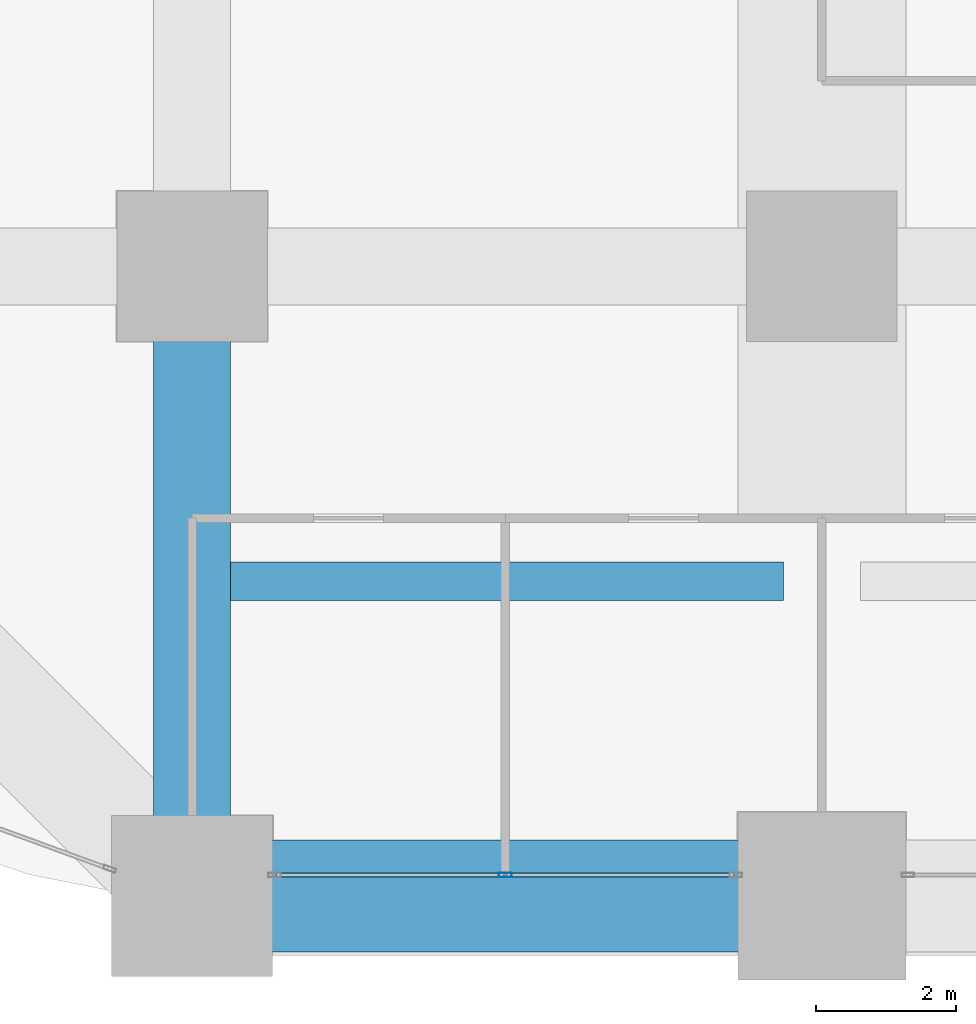
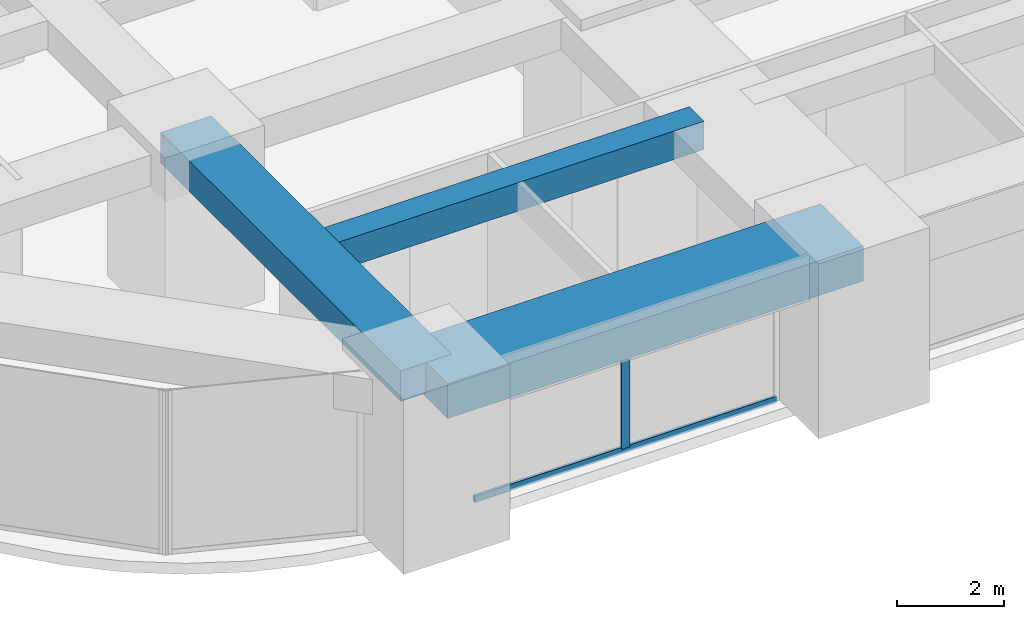
# One storey, part 3 of 45: 3 beams, 2 members, 1 element without a shape of its own.
"""IFC4 building model written with IfcOpenShell, lengths in metres."""

from ifc_helpers import new_model, si_unit, direction, frame, origin, origin_2d, place, context, subcontext, project, spatial, rectangle, hollow_rectangle, extrude, material, material_profile, profile_set, type_object, element, aggregate, save


model = new_model("IFC4")

# Units and contexts
model_context = context("Model", 3, precision=1e-05, world=origin(), true_north=direction((0.0, 1.0)))
body_context = subcontext(model_context, "Body", "Model", "MODEL_VIEW")
ifc_project = project(units=[si_unit("LENGTHUNIT", "METRE"), si_unit("AREAUNIT", "SQUARE_METRE"), si_unit("VOLUMEUNIT", "CUBIC_METRE"), si_unit("PLANEANGLEUNIT", "RADIAN"), si_unit("MASSUNIT", "GRAM", prefix="KILO")], contexts=[model_context])

# Site, building, storey
site_placement = place(None, origin())
site = spatial("IfcSite", under=ifc_project, at=site_placement, CompositionType="ELEMENT")
building_placement = place(site_placement, origin())
building = spatial("IfcBuilding", under=site, at=building_placement, Name="Zorevar Civic Tower", CompositionType="ELEMENT")
storey_placement = place(building_placement, frame((0.0, 0.0, 71.800048828125)))
storey = spatial("IfcBuildingStorey", under=building, at=storey_placement, Name="L17", CompositionType="ELEMENT", Elevation=71.800048828125)

# Beams
ifc_material_1 = material(Name="Concrete C50/60", Category="concrete")
ifc_material_profile_1 = material_profile(ifc_material_1, rectangle(XDim=1.10009765625, YDim=0.699951171875, at=origin_2d()), Name="RC 1100x700")
ifc_profile_set_1 = profile_set([ifc_material_profile_1], Name="Concrete C50/60")
beam_type_1 = type_object("IfcBeamType", Name="Beam RC 1100x700", PredefinedType="BEAM", material=ifc_profile_set_1)
beam_1_placement = place(storey_placement, frame((9.0, 0.0, 3.39990234375), z_axis=(0.0, 1.0, 0.0), x_axis=(-1.0, 0.0, 0.0)))
element("IfcBeam", 1, at=beam_1_placement, inside=storey, type_object=beam_type_1, Name="Girder L18", PredefinedType="BEAM", context=body_context, shape_type="SweptSolid", body=[
    extrude(rectangle(XDim=1.10009765625, YDim=0.699951171875, at=origin_2d()), origin(), (0.0, 0.0, 1.0), 9.0),
])
ifc_material_2 = material(Name="Concrete C50/60", Category="concrete")
ifc_material_profile_2 = material_profile(ifc_material_2, rectangle(XDim=0.550048828125, YDim=0.64990234375, at=origin_2d()), Name="RC 550x650")
ifc_profile_set_2 = profile_set([ifc_material_profile_2], Name="Concrete C50/60")
beam_type_2 = type_object("IfcBeamType", Name="Beam RC 550x650", PredefinedType="BEAM", material=ifc_profile_set_2)
beam_2_placement = place(storey_placement, frame((9.550048828125, 4.5, 3.425048828125), z_axis=(1.0, 0.0, 0.0), x_axis=(0.0, 1.0, 0.0)))
element("IfcBeam", 2, at=beam_2_placement, inside=storey, type_object=beam_type_2, Name="Secondary beam L18", PredefinedType="BEAM", context=body_context, shape_type="SweptSolid", body=[
    extrude(rectangle(XDim=0.550048828125, YDim=0.64990234375, at=origin_2d()), origin(), (0.0, 0.0, 1.0), 7.89990234375),
])

# Curtain wall, members
ifc_material_3 = material(Name="Dark grey solar-control glass in black aluminium frame", Category="aluminium")
curtain_wall_type = type_object("IfcCurtainWallType", Name="Curtain wall CW2 low zone", PredefinedType="NOTDEFINED", material=ifc_material_3)
curtain_wall_placement = place(storey_placement, origin())
curtain_wall = element("IfcCurtainWall", 3, at=curtain_wall_placement, inside=storey, type_object=curtain_wall_type, Name="CW2 L17", PredefinedType="NOTDEFINED")
ifc_material_4 = material(Name="Aluminium, black anodised", Category="aluminium")
ifc_material_profile_3 = material_profile(ifc_material_4, hollow_rectangle(XDim=0.06005859375, YDim=0.179931640625, WallThickness=0.00390625, at=origin_2d()), Name="AL 180x60x4")
ifc_profile_set_3 = profile_set([ifc_material_profile_3], Name="Aluminium, black anodised")
member_type_1 = type_object("IfcMemberType", Name="CW2 mullion AL 180x60x4", PredefinedType="MULLION", material=ifc_profile_set_3)
member_1_placement = place(storey_placement, frame((13.47509765625, 0.300048828125, 0.06005859375), z_axis=(0.0, 0.0, 1.0), x_axis=(0.0, 1.0, 0.0)))
member_1 = element("IfcMember", 4, at=member_1_placement, type_object=member_type_1, Name="CW2 mullion 2", PredefinedType="MULLION", context=body_context, shape_type="SweptSolid", body=[
    extrude(hollow_rectangle(XDim=0.06005859375, YDim=0.179931640625, WallThickness=0.00390625, at=origin_2d()), origin(), (0.0, 0.0, 1.0), 2.889892578125),
])
ifc_material_5 = material(Name="Aluminium, black anodised", Category="aluminium")
ifc_material_profile_4 = material_profile(ifc_material_5, hollow_rectangle(XDim=0.06005859375, YDim=0.14990234375, WallThickness=0.00390625, at=origin_2d()), Name="AL 150x60x4")
ifc_profile_set_4 = profile_set([ifc_material_profile_4], Name="Aluminium, black anodised")
member_type_2 = type_object("IfcMemberType", Name="CW2 transom AL 150x60x4", PredefinedType="USERDEFINED", material=ifc_profile_set_4)
member_2_placement = place(storey_placement, frame((10.2099609375, 0.300048828125, 0.030029296875), z_axis=(1.0, 0.0, 0.0), x_axis=(0.0, 1.0, 0.0)))
member_2 = element("IfcMember", 5, at=member_2_placement, type_object=member_type_2, Name="CW2 sill transom", ObjectType="TRANSOM", PredefinedType="USERDEFINED", context=body_context, shape_type="SweptSolid", body=[
    extrude(hollow_rectangle(XDim=0.06005859375, YDim=0.14990234375, WallThickness=0.00390625, at=origin_2d()), origin(), (0.0, 0.0, 1.0), 6.530029296875),
])
aggregate(curtain_wall, [member_1, member_2])

# Beam
ifc_material_6 = material(Name="Concrete C50/60", Category="concrete")
ifc_material_profile_5 = material_profile(ifc_material_6, rectangle(XDim=1.60009765625, YDim=0.800048828125, at=origin_2d()), Name="RC 1600x800")
ifc_profile_set_5 = profile_set([ifc_material_profile_5], Name="Concrete C50/60")
beam_type_3 = type_object("IfcBeamType", Name="Edge beam RC 1600x800", PredefinedType="SPANDREL", material=ifc_profile_set_5)
beam_3_placement = place(storey_placement, frame((9.0, 0.0, 3.349853515625), z_axis=(1.0, 0.0, 0.0), x_axis=(0.0, 1.0, 0.0)))
element("IfcBeam", 6, at=beam_3_placement, inside=storey, type_object=beam_type_3, Name="Edge beam L18", PredefinedType="SPANDREL", context=body_context, shape_type="SweptSolid", body=[
    extrude(rectangle(XDim=1.60009765625, YDim=0.800048828125, at=origin_2d()), origin(), (0.0, 0.0, 1.0), 9.0),
])

save(model, "model.ifc")
